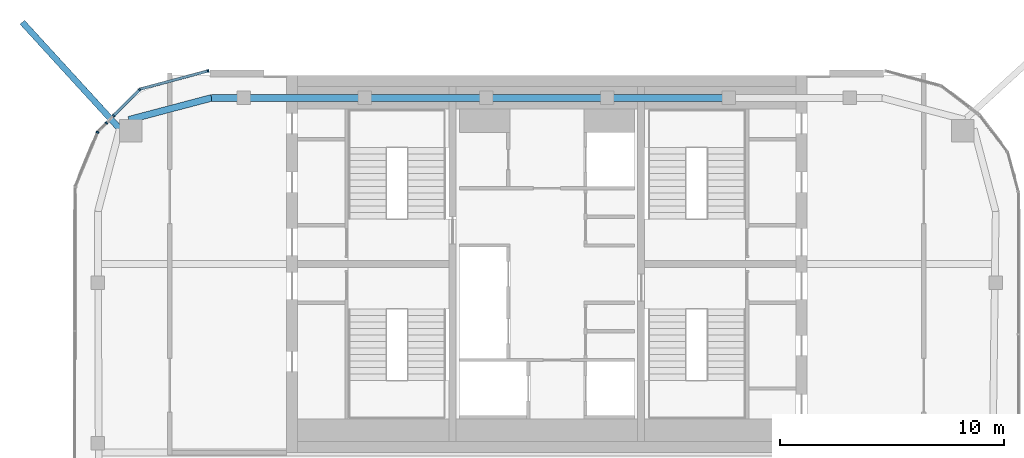
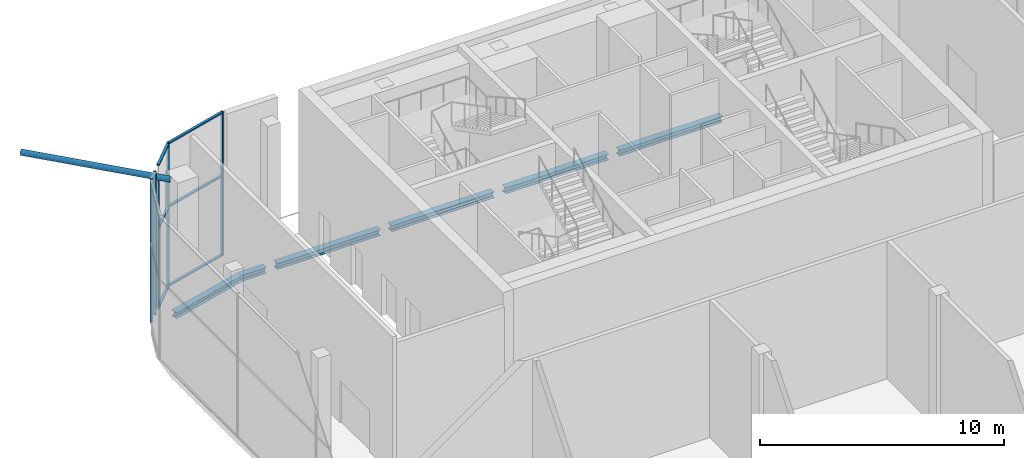
# One storey, part 10 of 23: 12 members, 6 beams, 5 elements without a shape of their own.
"""IFC4 building model written with IfcOpenShell, lengths in metres."""

import ifcopenshell
import ifcopenshell.guid

model = None  # the IFC model being written
_history = None  # IfcOwnerHistory: only IFC2X3 demands one
_inside = {}  # id of a spatial element -> (the spatial element, [elements in it])
_under = {}  # id of a project, library or spatial element -> (it, [spatial elements below it])
_declared = {}  # id of a project -> (the project, [libraries it declares])
_typed = {}  # id of a type object -> (the type object, [elements of that type])
_made_of = {}  # id of a material, layer set ... -> (it, [elements and type objects made of it])


def new_model(schema):
    """Start an empty IFC model of exactly this schema.

    Asked for "IFC4X3", IfcOpenShell would pick the latest addendum, in which some entities
    have other attributes; the version numbers below select the first issue.
    IFC2X3 requires an IfcOwnerHistory on every rooted entity: one is made here for all.
    """
    global model, _history
    if schema == "IFC4X3":
        model = ifcopenshell.file(schema_version=(4, 3, 0, 0))
    else:
        model = ifcopenshell.file(schema=schema)
    _inside.clear()
    _under.clear()
    _declared.clear()
    _typed.clear()
    _made_of.clear()
    _history = None
    if model.schema == "IFC2X3":
        org = make("IfcOrganization", Name="unknown")
        user = make(
            "IfcPersonAndOrganization",
            ThePerson=make("IfcPerson", FamilyName="unknown"),
            TheOrganization=org,
        )
        app = make(
            "IfcApplication",
            ApplicationDeveloper=org,
            Version="unknown",
            ApplicationFullName="unknown",
            ApplicationIdentifier="unknown",
        )
        _history = make(
            "IfcOwnerHistory",
            OwningUser=user,
            OwningApplication=app,
            ChangeAction="ADDED",
            CreationDate=0,
        )
    return model


def make(cls, **values):
    """One entity of the class cls with the attributes given. An attribute that is None is left unset."""
    return model.create_entity(
        cls, **{name: value for name, value in values.items() if value is not None}
    )


def rooted(cls, **values):
    """An entity with a GlobalId (a new one), such as an element, a storey or a relation."""
    return make(cls, GlobalId=ifcopenshell.guid.new(), OwnerHistory=_history, **values)


def si_unit(unit_type, name, prefix=None):
    """IfcSIUnit, for example si_unit("LENGTHUNIT", "METRE", prefix="MILLI")."""
    return make("IfcSIUnit", UnitType=unit_type, Prefix=prefix, Name=name)


def assignment(units):
    """IfcUnitAssignment: the units of a project."""
    return None if units is None else make("IfcUnitAssignment", Units=units)


def point(xyz):
    """IfcCartesianPoint."""
    return None if xyz is None else make("IfcCartesianPoint", Coordinates=xyz)


def direction(xyz):
    """IfcDirection."""
    return None if xyz is None else make("IfcDirection", DirectionRatios=xyz)


def frame(location, z_axis=None, x_axis=None):
    """IfcAxis2Placement3D, a coordinate frame: its origin and axes. An axis left out is left unset."""
    return make(
        "IfcAxis2Placement3D",
        Location=point(location),
        Axis=direction(z_axis),
        RefDirection=direction(x_axis),
    )


def frame_2d(location, x_axis=None):
    """IfcAxis2Placement2D, a coordinate frame in the plane: its origin and x axis."""
    return make(
        "IfcAxis2Placement2D", Location=point(location), RefDirection=direction(x_axis)
    )


def origin():
    """The frame at (0, 0, 0) with its axes left unset."""
    return frame((0.0, 0.0, 0.0))


def origin_2d():
    """The frame at (0, 0) in the plane with its x axis left unset."""
    return frame_2d((0.0, 0.0))


def place(relative_to, where):
    """IfcLocalPlacement: puts the frame where relative to a parent placement (None: the world)."""
    return make(
        "IfcLocalPlacement", PlacementRelTo=relative_to, RelativePlacement=where
    )


def context(
    kind, dimensions, precision=None, world=None, true_north=None, identifier=None
):
    """IfcGeometricRepresentationContext, for example the 3D "Model" context."""
    return make(
        "IfcGeometricRepresentationContext",
        ContextIdentifier=identifier,
        ContextType=kind,
        CoordinateSpaceDimension=dimensions,
        Precision=precision,
        WorldCoordinateSystem=world,
        TrueNorth=true_north,
    )


def subcontext(parent, identifier, kind, view, scale=None):
    """IfcGeometricRepresentationSubContext, for example "Body" below "Model"."""
    return make(
        "IfcGeometricRepresentationSubContext",
        ContextIdentifier=identifier,
        ContextType=kind,
        ParentContext=parent,
        TargetScale=scale,
        TargetView=view,
    )


def project(units=None, contexts=None):
    """IfcProject with its units and contexts."""
    return rooted(
        "IfcProject",
        Name="project",
        RepresentationContexts=contexts,
        UnitsInContext=assignment(units),
    )


def spatial(cls, under=None, at=None, **own):
    """A site, building, storey or space (cls), placed at a placement, below another one or the project."""
    s = rooted(cls, ObjectPlacement=at, **own)
    if under is not None:
        _under.setdefault(under.id(), (under, []))[1].append(s)
    return s


def profile(cls, at=None, kind="AREA", **sizes):
    """A parametric profile (cls). Its sizes go by their IFC names, for example OverallWidth=200.0."""
    return make(cls, ProfileType=kind, Position=at, **sizes)


def rectangle(**sizes):
    """IfcRectangleProfileDef."""
    return profile("IfcRectangleProfileDef", **sizes)


def hollow_circle(**sizes):
    """IfcCircleHollowProfileDef."""
    return profile("IfcCircleHollowProfileDef", **sizes)


def i_section(**sizes):
    """IfcIShapeProfileDef."""
    return profile("IfcIShapeProfileDef", **sizes)


def extrude(swept, where, along, depth):
    """IfcExtrudedAreaSolid: the profile swept, set in the frame where, extruded along a direction by depth."""
    return make(
        "IfcExtrudedAreaSolid",
        SweptArea=swept,
        Position=where,
        ExtrudedDirection=direction(along),
        Depth=depth,
    )


def shape(context_of_items, identifier, shape_type, items):
    """IfcShapeRepresentation: the items that make up one representation, for example the "Body"."""
    return make(
        "IfcShapeRepresentation",
        ContextOfItems=context_of_items,
        RepresentationIdentifier=identifier,
        RepresentationType=shape_type,
        Items=items,
    )


def material(Name=None, Category=None):
    """IfcMaterial."""
    return make("IfcMaterial", Name=Name, Category=Category)


def layer(
    of_material, thickness, ventilated=None, Name=None, Category=None, Priority=None
):
    """IfcMaterialLayer: one layer of a wall or slab, of a material (None: an air gap)."""
    return make(
        "IfcMaterialLayer",
        Material=of_material,
        LayerThickness=thickness,
        IsVentilated=ventilated,
        Name=Name,
        Category=Category,
        Priority=Priority,
    )


def layer_set(layers, Name=None):
    """IfcMaterialLayerSet."""
    return make("IfcMaterialLayerSet", MaterialLayers=layers, LayerSetName=Name)


def material_profile(
    of_material, cross_section, Name=None, Category=None, Priority=None
):
    """IfcMaterialProfile: a cross section and its material."""
    return make(
        "IfcMaterialProfile",
        Name=Name,
        Material=of_material,
        Profile=cross_section,
        Priority=Priority,
        Category=Category,
    )


def profile_set(profiles, Name=None, composite=None):
    """IfcMaterialProfileSet."""
    return make(
        "IfcMaterialProfileSet",
        Name=Name,
        MaterialProfiles=profiles,
        CompositeProfile=composite,
    )


def made_of(thing, what):
    """Note that an element or type object is made of a material, layer set ...; save() writes the relation."""
    if what is not None:
        _made_of.setdefault(what.id(), (what, []))[1].append(thing)
    return thing


def type_object(cls, material=None, **own):
    """A type object (cls), such as IfcWallType, which elements share."""
    return made_of(rooted(cls, **own), material)


def element(
    cls,
    number,
    at=None,
    inside=None,
    cuts=None,
    type_object=None,
    material=None,
    context=None,
    identifier="Body",
    shape_type=None,
    held_by="IfcProductDefinitionShape",
    body=None,
    shapes=None,
    **own,
):
    """One element of the class cls, such as IfcWall. Its Tag is "e" and its number.

    at: its placement. inside: the storey or other place that contains it. cuts: it is an
    opening in that element (IfcRelVoidsElement). A single representation is given by context,
    identifier, shape_type and body (its items); several are given by shapes. held_by: the class
    of the entity that holds the representations. save() writes the other relations.
    """
    e = rooted(cls, Tag="e%d" % number, ObjectPlacement=at, **own)
    if body is not None:
        shapes = [shape(context, identifier, shape_type, body)]
    if shapes is not None:
        e.Representation = make(held_by, Representations=shapes)
    if inside is not None:
        _inside.setdefault(inside.id(), (inside, []))[1].append(e)
    if cuts is not None:
        rooted(
            "IfcRelVoidsElement", RelatingBuildingElement=cuts, RelatedOpeningElement=e
        )
    if type_object is not None:
        _typed.setdefault(type_object.id(), (type_object, []))[1].append(e)
    return made_of(e, material)


def aggregate(whole, parts):
    """IfcRelAggregates: a whole, such as a stair, and the parts it consists of."""
    return rooted("IfcRelAggregates", RelatingObject=whole, RelatedObjects=parts)


def save(model, path):
    """Write the relations noted so far, then the file.

    IfcRelAggregates (storeys below a building ...), IfcRelContainedInSpatialStructure (elements
    in a storey), IfcRelDefinesByType, IfcRelAssociatesMaterial and IfcRelDeclares: one each for
    every whole, place, type object, material and project.
    """
    for whole, parts in _under.values():
        aggregate(whole, parts)
    for where, things in _inside.values():
        rooted(
            "IfcRelContainedInSpatialStructure",
            RelatedElements=things,
            RelatingStructure=where,
        )
    for kind, things in _typed.values():
        rooted("IfcRelDefinesByType", RelatedObjects=things, RelatingType=kind)
    for what, things in _made_of.values():
        rooted("IfcRelAssociatesMaterial", RelatedObjects=things, RelatingMaterial=what)
    for by, libraries in _declared.values():
        rooted("IfcRelDeclares", RelatingContext=by, RelatedDefinitions=libraries)
    model.write(path)


model = new_model("IFC4")

# Units and contexts
model_context = context("Model", 3, precision=1e-05, world=origin(), true_north=direction((0.0, 1.0)))
body_context = subcontext(model_context, "Body", "Model", "MODEL_VIEW")
ifc_project = project(units=[si_unit("LENGTHUNIT", "METRE"), si_unit("AREAUNIT", "SQUARE_METRE"), si_unit("VOLUMEUNIT", "CUBIC_METRE"), si_unit("PLANEANGLEUNIT", "RADIAN"), si_unit("MASSUNIT", "GRAM", prefix="KILO")], contexts=[model_context])

# Site, building, storey
site_placement = place(None, origin())
site = spatial("IfcSite", under=ifc_project, at=site_placement, CompositionType="ELEMENT")
building_placement = place(site_placement, origin())
building = spatial("IfcBuilding", under=site, at=building_placement, Name="Marenta Gate Hotel Tower", CompositionType="ELEMENT")
storey_placement = place(building_placement, frame((0.0, 0.0, 288.5)))
storey = spatial("IfcBuildingStorey", under=building, at=storey_placement, Name="L66", CompositionType="ELEMENT", Elevation=288.5)

# Beams
ifc_material_1 = material(Name="Steel S355", Category="steel")
ifc_material_profile_1 = material_profile(ifc_material_1, i_section(OverallWidth=0.300048828125, OverallDepth=0.300048828125, WebThickness=0.010986328125, FlangeThickness=0.01904296875, FilletRadius=0.027099609375, at=origin_2d()), Name="HEB 300")
ifc_profile_set_1 = profile_set([ifc_material_profile_1], Name="Steel S355")
beam_type = type_object("IfcBeamType", Name="Edge beam HEB 300", PredefinedType="SPANDREL", material=ifc_profile_set_1)
beam_1_placement = place(storey_placement, frame((-18.620361328125, 14.8251953125, -0.409912109375), z_axis=(0.966756923821, 0.25569718466, 0.0), x_axis=(-0.25569718466, 0.966756923821, 0.0)))
element("IfcBeam", 1, at=beam_1_placement, inside=storey, type_object=beam_type, Name="L66-EB-12", PredefinedType="SPANDREL", context=body_context, shape_type="SweptSolid", body=[
    extrude(i_section(OverallWidth=0.300048828125, OverallDepth=0.300048828125, WebThickness=0.010986328125, FlangeThickness=0.01904296875, FilletRadius=0.027099609375, at=origin_2d()), origin(), (0.0, 0.0, 1.0), 3.8125),
])
beam_2_placement = place(storey_placement, frame((-14.9345703125, 15.800048828125, -0.409912109375), z_axis=(1.0, 0.0, 0.0), x_axis=(0.0, 1.0, 0.0)))
element("IfcBeam", 2, at=beam_2_placement, inside=storey, type_object=beam_type, Name="L66-EB-13", PredefinedType="SPANDREL", context=body_context, shape_type="SweptSolid", body=[
    extrude(i_section(OverallWidth=0.300048828125, OverallDepth=0.300048828125, WebThickness=0.010986328125, FlangeThickness=0.01904296875, FilletRadius=0.027099609375, at=origin_2d()), origin(), (0.0, 0.0, 1.0), 1.167724609375),
])
beam_3_placement = place(storey_placement, frame((-13.246826171875, 15.800048828125, -0.409912109375), z_axis=(1.0, 0.0, 0.0), x_axis=(0.0, 1.0, 0.0)))
element("IfcBeam", 3, at=beam_3_placement, inside=storey, type_object=beam_type, Name="L66-EB-14", PredefinedType="SPANDREL", context=body_context, shape_type="SweptSolid", body=[
    extrude(i_section(OverallWidth=0.300048828125, OverallDepth=0.300048828125, WebThickness=0.010986328125, FlangeThickness=0.01904296875, FilletRadius=0.027099609375, at=origin_2d()), origin(), (0.0, 0.0, 1.0), 4.8828125),
])
beam_4_placement = place(storey_placement, frame((-7.843994140625, 15.800048828125, -0.409912109375), z_axis=(1.0, 0.0, 0.0), x_axis=(0.0, 1.0, 0.0)))
element("IfcBeam", 4, at=beam_4_placement, inside=storey, type_object=beam_type, Name="L66-EB-15", PredefinedType="SPANDREL", context=body_context, shape_type="SweptSolid", body=[
    extrude(i_section(OverallWidth=0.300048828125, OverallDepth=0.300048828125, WebThickness=0.010986328125, FlangeThickness=0.01904296875, FilletRadius=0.027099609375, at=origin_2d()), origin(), (0.0, 0.0, 1.0), 4.882568359375),
])
beam_5_placement = place(storey_placement, frame((-2.44140625, 15.800048828125, -0.409912109375), z_axis=(1.0, 0.0, 0.0), x_axis=(0.0, 1.0, 0.0)))
element("IfcBeam", 5, at=beam_5_placement, inside=storey, type_object=beam_type, Name="L66-EB-16", PredefinedType="SPANDREL", context=body_context, shape_type="SweptSolid", body=[
    extrude(i_section(OverallWidth=0.300048828125, OverallDepth=0.300048828125, WebThickness=0.010986328125, FlangeThickness=0.01904296875, FilletRadius=0.027099609375, at=origin_2d()), origin(), (0.0, 0.0, 1.0), 4.8828125),
])
beam_6_placement = place(storey_placement, frame((2.96142578125, 15.800048828125, -0.409912109375), z_axis=(1.0, 0.0, 0.0), x_axis=(0.0, 1.0, 0.0)))
element("IfcBeam", 6, at=beam_6_placement, inside=storey, type_object=beam_type, Name="L66-EB-17", PredefinedType="SPANDREL", context=body_context, shape_type="SweptSolid", body=[
    extrude(i_section(OverallWidth=0.300048828125, OverallDepth=0.300048828125, WebThickness=0.010986328125, FlangeThickness=0.01904296875, FilletRadius=0.027099609375, at=origin_2d()), origin(), (0.0, 0.0, 1.0), 4.882568359375),
])

# Member
ifc_material_2 = material(Name="Steel S355J2W", Category="steel")
ifc_material_profile_2 = material_profile(ifc_material_2, hollow_circle(Radius=0.136474609375, WallThickness=0.012451171875, at=origin_2d()), Name="CHS 273x12.5")
ifc_profile_set_2 = profile_set([ifc_material_profile_2], Name="Steel S355J2W")
member_type_1 = type_object("IfcMemberType", Name="Floor tie CHS 273x12.5", PredefinedType="STRUT", material=ifc_profile_set_2)
member_1_placement = place(storey_placement, frame((-23.3701171875, 19.169921875, 6.739990234375), z_axis=(0.674971246683, -0.737844032402, 0.0), x_axis=(0.737844032402, 0.674971246683, 0.0)))
element("IfcMember", 7, at=member_1_placement, inside=storey, type_object=member_type_1, Name="L66-DR-6", PredefinedType="STRUT", context=body_context, shape_type="SweptSolid", body=[
    extrude(hollow_circle(Radius=0.136474609375, WallThickness=0.012451171875, at=origin_2d()), origin(), (0.0, 0.0, 1.0), 6.430419921875),
])

# Curtain wall, member
ifc_material_3 = material(Name="Tinted insulated glass in bronze anodised frame", Category="glass")
ifc_layer = layer(ifc_material_3, 0.1201171875)
ifc_layer_set = layer_set([ifc_layer], Name="Tinted insulated glass in bronze anodised frame")
curtain_wall_type = type_object("IfcCurtainWallType", Name="Sky restaurant glazing CW4", PredefinedType="NOTDEFINED", material=ifc_layer_set)
curtain_wall_1_placement = place(storey_placement, origin())
curtain_wall_1 = element("IfcCurtainWall", 8, at=curtain_wall_1_placement, inside=storey, type_object=curtain_wall_type, Name="CW4 run G00", PredefinedType="NOTDEFINED")
ifc_material_4 = material(Name="Bronze anodised aluminium", Category="aluminium")
ifc_material_profile_3 = material_profile(ifc_material_4, rectangle(XDim=0.1201171875, YDim=0.070068359375, at=origin_2d()), Name="Mullion CW4 70x120 bronze anodised aluminium")
ifc_profile_set_3 = profile_set([ifc_material_profile_3], Name="Bronze anodised aluminium")
member_type_2 = type_object("IfcMemberType", Name="Mullion CW4 70x120 bronze anodised aluminium", PredefinedType="MULLION", material=ifc_profile_set_3)
member_2_placement = place(storey_placement, frame((-15.09033203125, 17.001953125, 0.0), z_axis=(0.0, 0.0, 1.0), x_axis=(0.258801379183, -0.965930559685, 0.0)))
member_2 = element("IfcMember", 9, at=member_2_placement, type_object=member_type_2, Name="CW4 mullion 1", PredefinedType="MULLION", context=body_context, shape_type="SweptSolid", body=[
    extrude(rectangle(XDim=0.1201171875, YDim=0.070068359375, at=origin_2d()), origin(), (0.0, 0.0, 1.0), 7.199951171875),
])

curtain_wall_2_placement = place(storey_placement, origin())
curtain_wall_2 = element("IfcCurtainWall", 10, at=curtain_wall_2_placement, inside=storey, type_object=curtain_wall_type, Name="CW4 run G01", PredefinedType="NOTDEFINED")
member_3_placement = place(storey_placement, frame((-18.1376953125, 16.167236328125, 0.0), z_axis=(0.0, 0.0, 1.0), x_axis=(0.707106781187, -0.707106781187, 0.0)))
member_3 = element("IfcMember", 11, at=member_3_placement, type_object=member_type_2, Name="CW4 mullion 1", PredefinedType="MULLION", context=body_context, shape_type="SweptSolid", body=[
    extrude(rectangle(XDim=0.1201171875, YDim=0.070068359375, at=origin_2d()), origin(), (0.0, 0.0, 1.0), 7.199951171875),
])

curtain_wall_3_placement = place(storey_placement, origin())
curtain_wall_3 = element("IfcCurtainWall", 12, at=curtain_wall_3_placement, inside=storey, type_object=curtain_wall_type, Name="CW4 run G02", PredefinedType="NOTDEFINED")
member_4_placement = place(storey_placement, frame((-19.30029296875, 15.004638671875, 0.0), z_axis=(0.0, 0.0, 1.0), x_axis=(0.707106781187, -0.707106781187, 0.0)))
member_4 = element("IfcMember", 13, at=member_4_placement, type_object=member_type_2, Name="CW4 mullion 1", PredefinedType="MULLION", context=body_context, shape_type="SweptSolid", body=[
    extrude(rectangle(XDim=0.1201171875, YDim=0.070068359375, at=origin_2d()), origin(), (0.0, 0.0, 1.0), 6.6005859375),
])
aggregate(curtain_wall_3, [member_4])

curtain_wall_4_placement = place(storey_placement, origin())
curtain_wall_4 = element("IfcCurtainWall", 14, at=curtain_wall_4_placement, inside=storey, type_object=curtain_wall_type, Name="CW4 run G03", PredefinedType="NOTDEFINED")
member_5_placement = place(storey_placement, frame((-19.620849609375, 14.68408203125, 0.0), z_axis=(0.0, 0.0, 1.0), x_axis=(0.707106781187, -0.707106781187, 0.0)))
member_5 = element("IfcMember", 15, at=member_5_placement, type_object=member_type_2, Name="CW4 mullion 1", PredefinedType="MULLION", context=body_context, shape_type="SweptSolid", body=[
    extrude(rectangle(XDim=0.1201171875, YDim=0.070068359375, at=origin_2d()), origin(), (0.0, 0.0, 1.0), 7.199951171875),
])
aggregate(curtain_wall_4, [member_5])

curtain_wall_5_placement = place(storey_placement, origin())
curtain_wall_5 = element("IfcCurtainWall", 16, at=curtain_wall_5_placement, inside=storey, type_object=curtain_wall_type, Name="CW4 run G04", PredefinedType="NOTDEFINED")
member_6_placement = place(storey_placement, frame((-20.01708984375, 14.26904296875, 0.0), z_axis=(0.0, 0.0, 1.0), x_axis=(0.923886433266, -0.382666772044, 0.0)))
member_6 = element("IfcMember", 17, at=member_6_placement, type_object=member_type_2, Name="CW4 mullion 1", PredefinedType="MULLION", context=body_context, shape_type="SweptSolid", body=[
    extrude(rectangle(XDim=0.1201171875, YDim=0.070068359375, at=origin_2d()), origin(), (0.0, 0.0, 1.0), 7.199951171875),
])
aggregate(curtain_wall_5, [member_6])

# Member
ifc_material_5 = material(Name="Bronze anodised aluminium", Category="aluminium")
ifc_material_profile_4 = material_profile(ifc_material_5, rectangle(XDim=0.1201171875, YDim=0.070068359375, at=origin_2d()), Name="Transom CW4 70x120 bronze anodised aluminium")
ifc_profile_set_4 = profile_set([ifc_material_profile_4], Name="Bronze anodised aluminium")
member_type_3 = type_object("IfcMemberType", Name="Transom CW4 70x120 bronze anodised aluminium", PredefinedType="USERDEFINED", material=ifc_profile_set_4)
member_7_placement = place(storey_placement, frame((-15.1240234375, 16.992919921875, 0.034912109375), z_axis=(-0.965930442232, -0.258801817556, 0.0), x_axis=(0.258801817556, -0.965930442232, 0.0)))
member_7 = element("IfcMember", 18, at=member_7_placement, type_object=member_type_3, Name="CW4 transom 1.1", ObjectType="TRANSOM", PredefinedType="USERDEFINED", context=body_context, shape_type="SweptSolid", body=[
    extrude(rectangle(XDim=0.1201171875, YDim=0.070068359375, at=origin_2d()), origin(), (0.0, 0.0, 1.0), 3.09423828125),
])

member_8_placement = place(storey_placement, frame((-15.1240234375, 16.992919921875, 4.0), z_axis=(-0.965930442232, -0.258801817556, 0.0), x_axis=(0.258801817556, -0.965930442232, 0.0)))
member_8 = element("IfcMember", 19, at=member_8_placement, type_object=member_type_3, Name="CW4 transom 1.2", ObjectType="TRANSOM", PredefinedType="USERDEFINED", context=body_context, shape_type="SweptSolid", body=[
    extrude(rectangle(XDim=0.1201171875, YDim=0.070068359375, at=origin_2d()), origin(), (0.0, 0.0, 1.0), 3.09423828125),
])

member_9_placement = place(storey_placement, frame((-15.1240234375, 16.992919921875, 7.1650390625), z_axis=(-0.965930442232, -0.258801817556, 0.0), x_axis=(0.258801817556, -0.965930442232, 0.0)))
member_9 = element("IfcMember", 20, at=member_9_placement, type_object=member_type_3, Name="CW4 transom 1.3", ObjectType="TRANSOM", PredefinedType="USERDEFINED", context=body_context, shape_type="SweptSolid", body=[
    extrude(rectangle(XDim=0.1201171875, YDim=0.070068359375, at=origin_2d()), origin(), (0.0, 0.0, 1.0), 3.09423828125),
])

aggregate(curtain_wall_1, [member_2, member_7, member_8, member_9])

member_10_placement = place(storey_placement, frame((-18.162353515625, 16.142578125, 0.034912109375), z_axis=(-0.707106781187, -0.707106781187, 0.0), x_axis=(0.707106781187, -0.707106781187, 0.0)))
member_10 = element("IfcMember", 21, at=member_10_placement, type_object=member_type_3, Name="CW4 transom 1.1", ObjectType="TRANSOM", PredefinedType="USERDEFINED", context=body_context, shape_type="SweptSolid", body=[
    extrude(rectangle(XDim=0.1201171875, YDim=0.070068359375, at=origin_2d()), origin(), (0.0, 0.0, 1.0), 1.573974609375),
])

member_11_placement = place(storey_placement, frame((-18.162353515625, 16.142578125, 4.0), z_axis=(-0.707106781187, -0.707106781187, 0.0), x_axis=(0.707106781187, -0.707106781187, 0.0)))
member_11 = element("IfcMember", 22, at=member_11_placement, type_object=member_type_3, Name="CW4 transom 1.2", ObjectType="TRANSOM", PredefinedType="USERDEFINED", context=body_context, shape_type="SweptSolid", body=[
    extrude(rectangle(XDim=0.1201171875, YDim=0.070068359375, at=origin_2d()), origin(), (0.0, 0.0, 1.0), 1.573974609375),
])

member_12_placement = place(storey_placement, frame((-18.162353515625, 16.142578125, 7.1650390625), z_axis=(-0.707106781187, -0.707106781187, 0.0), x_axis=(0.707106781187, -0.707106781187, 0.0)))
member_12 = element("IfcMember", 23, at=member_12_placement, type_object=member_type_3, Name="CW4 transom 1.3", ObjectType="TRANSOM", PredefinedType="USERDEFINED", context=body_context, shape_type="SweptSolid", body=[
    extrude(rectangle(XDim=0.1201171875, YDim=0.070068359375, at=origin_2d()), origin(), (0.0, 0.0, 1.0), 1.573974609375),
])

aggregate(curtain_wall_2, [member_3, member_10, member_11, member_12])

save(model, "model.ifc")
